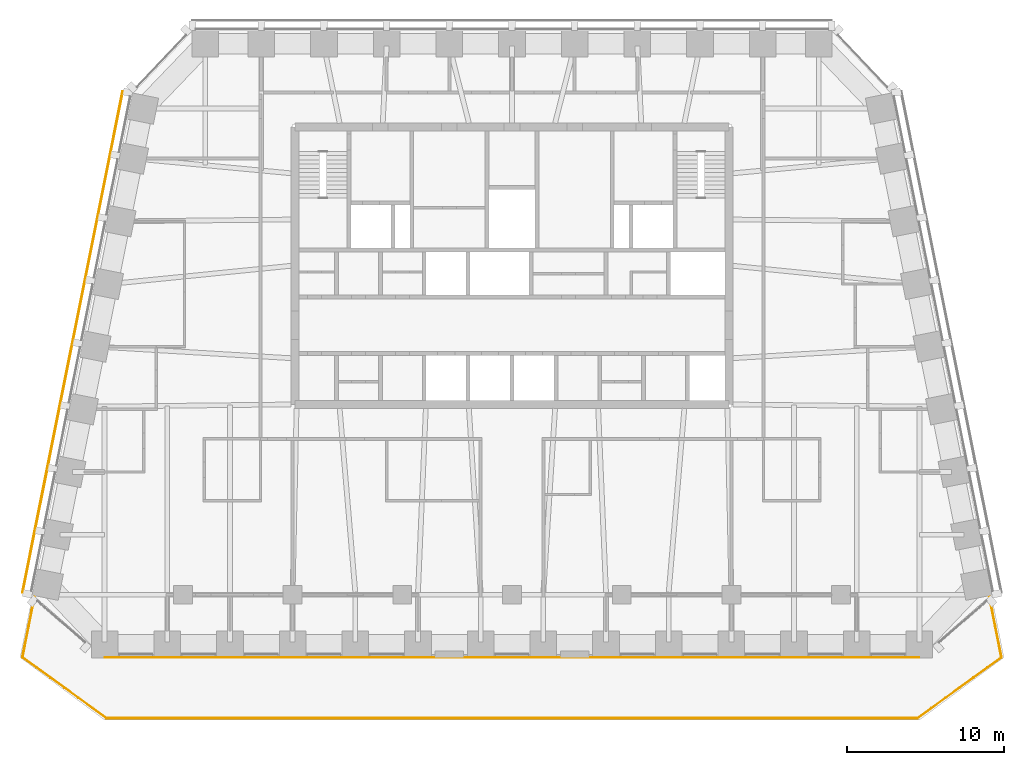
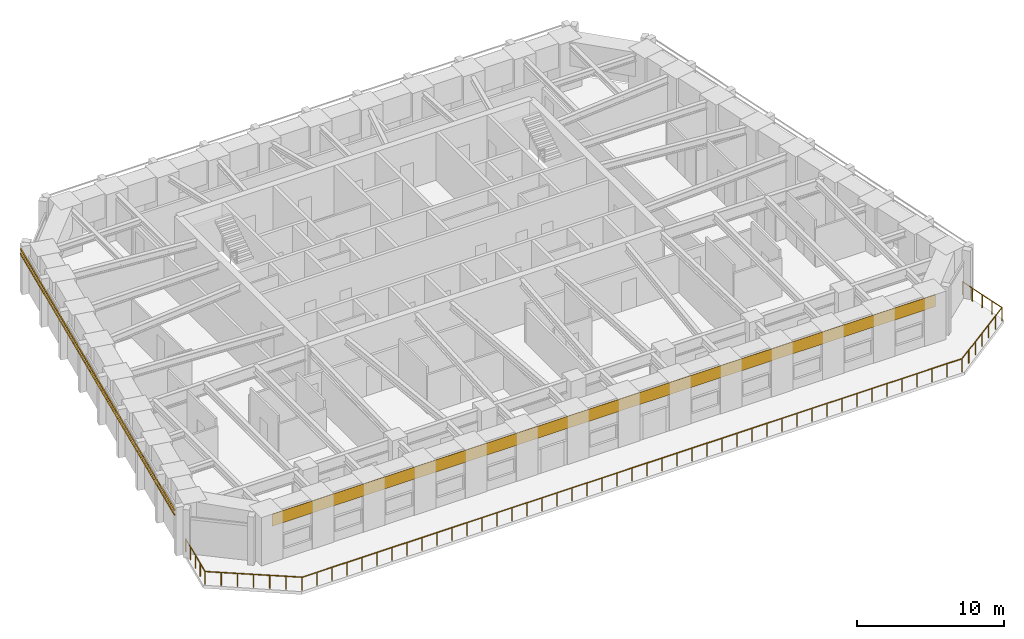
# One storey, part 9 of 11: 2 shading devices, 1 covering, 1 railing.
"""IFC4 building model written with IfcOpenShell, lengths in metres."""

from ifc_helpers import new_model, si_unit, direction, frame, origin, origin_2d, place, context, subcontext, project, spatial, rectangle, circle, extrude, material, layer, layer_set, material_profile, profile_set, type_object, element, save


model = new_model("IFC4")

# Units and contexts
model_context = context("Model", 3, precision=1e-05, world=origin(), true_north=direction((0.0, 1.0)))
body_context = subcontext(model_context, "Body", "Model", "MODEL_VIEW")
ifc_project = project(units=[si_unit("LENGTHUNIT", "METRE"), si_unit("AREAUNIT", "SQUARE_METRE"), si_unit("VOLUMEUNIT", "CUBIC_METRE"), si_unit("PLANEANGLEUNIT", "RADIAN"), si_unit("MASSUNIT", "GRAM", prefix="KILO")], contexts=[model_context])

# Site, building, storey
site_placement = place(None, origin())
site = spatial("IfcSite", under=ifc_project, at=site_placement, CompositionType="ELEMENT")
building_placement = place(site_placement, origin())
building = spatial("IfcBuilding", under=site, at=building_placement, Name="Isbrekke Arena Tower", CompositionType="ELEMENT")
storey_placement = place(building_placement, frame((0.0, 0.0, 272.0)))
storey = spatial("IfcBuildingStorey", under=building, at=storey_placement, Name="L63", CompositionType="ELEMENT", Elevation=272.0)

# Shading devices
ifc_material_1 = material(Name="Terracotta", Category="masonry")
ifc_material_profile = material_profile(ifc_material_1, rectangle(XDim=0.06005859375, YDim=0.06005859375, at=origin_2d()), Name="BAGUETTE 60X60")
ifc_profile_set = profile_set([ifc_material_profile], Name="Terracotta")
shading_device_type = type_object("IfcShadingDeviceType", Name="BG1 TERRACOTTA BAGUETTE 60 x 60", PredefinedType="USERDEFINED", material=ifc_profile_set)
for number, where, z_axis, x_axis, name in (
    (1, (-24.84228515625, 26.12841796875, 3.280029296875), (-0.196113257737, -0.980581251167, 0.0), (0.980581251167, -0.196113257737, 0.0), "BG1 terracotta baguette W1 L63"),
    (2, (-24.84228515625, 26.12841796875, 3.679931640625), (-0.196113257737, -0.980581251167, 0.0), (0.980581251167, -0.196113257737, 0.0), "BG1 terracotta baguette W2 L63"),
):
    element("IfcShadingDevice", number, at=place(storey_placement, frame(where, z_axis=z_axis, x_axis=x_axis)), inside=storey, type_object=shading_device_type, Name=name, ObjectType="TERRACOTTA BAGUETTE", PredefinedType="USERDEFINED", context=body_context, shape_type="SweptSolid", body=[
        extrude(rectangle(XDim=0.06005859375, YDim=0.06005859375, at=origin_2d()), origin(), (0.0, 0.0, 1.0), 32.6337890625),
    ])

# Covering
ifc_material_2 = material(Name="Pre-patinated copper sheet", Category="metal")
ifc_layer = layer(ifc_material_2, 0.02001953125)
ifc_layer_set = layer_set([ifc_layer], Name="CL1 COPPER CLADDING")
covering_type = type_object("IfcCoveringType", Name="CL1 COPPER CLADDING", PredefinedType="CLADDING", material=ifc_layer_set)
covering_placement = place(storey_placement, frame((0.0, -10.010009765625, 3.0), z_axis=(0.0, 0.0, 1.0), x_axis=(1.0, 0.0, 0.0)))
element("IfcCovering", 3, at=covering_placement, inside=storey, type_object=covering_type, Name="CL1 copper cladding L63", PredefinedType="CLADDING", context=body_context, shape_type="SweptSolid", body=[
    extrude(rectangle(XDim=52.0, YDim=0.02001953125, at=origin_2d()), origin(), (0.0, 0.0, 1.0), 1.0),
])

# Railing
ifc_material_3 = material(Name="Galvanised steel guard", Category="steel")
railing_type = type_object("IfcRailingType", Name="GR2 TERRACE GUARD 1100", PredefinedType="GUARDRAIL", material=ifc_material_3)
railing_placement = place(storey_placement, frame((-30.447021484375, -6.0, 0.0)))
element("IfcRailing", 4, at=railing_placement, inside=storey, type_object=railing_type, Name="GR2 terrace guard L63", PredefinedType="GUARDRAIL", context=body_context, shape_type="SweptSolid", body=[
    extrude(circle(Radius=0.02392578125, at=origin_2d()), frame((0.0, 0.0, 1.076171875), z_axis=(-0.195149043574, -0.980773598132, 0.0), x_axis=(0.980773598132, -0.195149043574, 0.0)), (0.0, 0.0, 1.0), 4.078369140625),
    extrude(circle(Radius=0.02392578125, at=origin_2d()), frame((-0.7958984375, -4.0, 1.076171875), z_axis=(0.810713226405, -0.585443476804, 0.0), x_axis=(0.585443476804, 0.810713226405, 0.0)), (0.0, 0.0, 1.0), 6.627197265625),
    extrude(circle(Radius=0.02392578125, at=origin_2d()), frame((4.576904296875, -7.8798828125, 1.076171875), z_axis=(1.0, 0.0, 0.0), x_axis=(0.0, 1.0, 0.0)), (0.0, 0.0, 1.0), 51.740234375),
    extrude(circle(Radius=0.02392578125, at=origin_2d()), frame((56.317138671875, -7.8798828125, 1.076171875), z_axis=(0.810713226405, 0.585443476804, 0.0), x_axis=(-0.585443476804, 0.810713226405, 0.0)), (0.0, 0.0, 1.0), 6.627197265625),
    extrude(circle(Radius=0.02392578125, at=origin_2d()), frame((61.68994140625, -4.0, 1.076171875), z_axis=(-0.195149043574, 0.980773598132, 0.0), x_axis=(-0.980773598132, -0.195149043574, 0.0)), (0.0, 0.0, 1.0), 4.078369140625),
    extrude(circle(Radius=0.02099609375, at=origin_2d()), origin(), (0.0, 0.0, 1.0), 1.052001953125),
    extrude(circle(Radius=0.02099609375, at=origin_2d()), frame((-0.198974609375, -1.0, 0.0)), (0.0, 0.0, 1.0), 1.052001953125),
    extrude(circle(Radius=0.02099609375, at=origin_2d()), frame((-0.39794921875, -2.0, 0.0)), (0.0, 0.0, 1.0), 1.052001953125),
    extrude(circle(Radius=0.02099609375, at=origin_2d()), frame((-0.596923828125, -3.0, 0.0)), (0.0, 0.0, 1.0), 1.052001953125),
    extrude(circle(Radius=0.02099609375, at=origin_2d()), frame((-0.7958984375, -4.0, 0.0)), (0.0, 0.0, 1.0), 1.052001953125),
    extrude(circle(Radius=0.02099609375, at=origin_2d()), frame((0.099609375, -4.646728515625, 0.0)), (0.0, 0.0, 1.0), 1.052001953125),
    extrude(circle(Radius=0.02099609375, at=origin_2d()), frame((0.9951171875, -5.293212890625, 0.0)), (0.0, 0.0, 1.0), 1.052001953125),
    extrude(circle(Radius=0.02099609375, at=origin_2d()), frame((1.890625, -5.93994140625, 0.0)), (0.0, 0.0, 1.0), 1.052001953125),
    extrude(circle(Radius=0.02099609375, at=origin_2d()), frame((2.785888671875, -6.586669921875, 0.0)), (0.0, 0.0, 1.0), 1.052001953125),
    extrude(circle(Radius=0.02099609375, at=origin_2d()), frame((3.681396484375, -7.233154296875, 0.0)), (0.0, 0.0, 1.0), 1.052001953125),
    extrude(circle(Radius=0.02099609375, at=origin_2d()), frame((4.576904296875, -7.8798828125, 0.0)), (0.0, 0.0, 1.0), 1.052001953125),
    extrude(circle(Radius=0.02099609375, at=origin_2d()), frame((5.7529296875, -7.8798828125, 0.0)), (0.0, 0.0, 1.0), 1.052001953125),
    extrude(circle(Radius=0.02099609375, at=origin_2d()), frame((6.9287109375, -7.8798828125, 0.0)), (0.0, 0.0, 1.0), 1.052001953125),
    extrude(circle(Radius=0.02099609375, at=origin_2d()), frame((8.104736328125, -7.8798828125, 0.0)), (0.0, 0.0, 1.0), 1.052001953125),
    extrude(circle(Radius=0.02099609375, at=origin_2d()), frame((9.280517578125, -7.8798828125, 0.0)), (0.0, 0.0, 1.0), 1.052001953125),
    extrude(circle(Radius=0.02099609375, at=origin_2d()), frame((10.45654296875, -7.8798828125, 0.0)), (0.0, 0.0, 1.0), 1.052001953125),
    extrude(circle(Radius=0.02099609375, at=origin_2d()), frame((11.63232421875, -7.8798828125, 0.0)), (0.0, 0.0, 1.0), 1.052001953125),
    extrude(circle(Radius=0.02099609375, at=origin_2d()), frame((12.808349609375, -7.8798828125, 0.0)), (0.0, 0.0, 1.0), 1.052001953125),
    extrude(circle(Radius=0.02099609375, at=origin_2d()), frame((13.984130859375, -7.8798828125, 0.0)), (0.0, 0.0, 1.0), 1.052001953125),
    extrude(circle(Radius=0.02099609375, at=origin_2d()), frame((15.16015625, -7.8798828125, 0.0)), (0.0, 0.0, 1.0), 1.052001953125),
    extrude(circle(Radius=0.02099609375, at=origin_2d()), frame((16.3359375, -7.8798828125, 0.0)), (0.0, 0.0, 1.0), 1.052001953125),
    extrude(circle(Radius=0.02099609375, at=origin_2d()), frame((17.511962890625, -7.8798828125, 0.0)), (0.0, 0.0, 1.0), 1.052001953125),
    extrude(circle(Radius=0.02099609375, at=origin_2d()), frame((18.68798828125, -7.8798828125, 0.0)), (0.0, 0.0, 1.0), 1.052001953125),
    extrude(circle(Radius=0.02099609375, at=origin_2d()), frame((19.86376953125, -7.8798828125, 0.0)), (0.0, 0.0, 1.0), 1.052001953125),
    extrude(circle(Radius=0.02099609375, at=origin_2d()), frame((21.039794921875, -7.8798828125, 0.0)), (0.0, 0.0, 1.0), 1.052001953125),
    extrude(circle(Radius=0.02099609375, at=origin_2d()), frame((22.215576171875, -7.8798828125, 0.0)), (0.0, 0.0, 1.0), 1.052001953125),
    extrude(circle(Radius=0.02099609375, at=origin_2d()), frame((23.3916015625, -7.8798828125, 0.0)), (0.0, 0.0, 1.0), 1.052001953125),
    extrude(circle(Radius=0.02099609375, at=origin_2d()), frame((24.5673828125, -7.8798828125, 0.0)), (0.0, 0.0, 1.0), 1.052001953125),
    extrude(circle(Radius=0.02099609375, at=origin_2d()), frame((25.743408203125, -7.8798828125, 0.0)), (0.0, 0.0, 1.0), 1.052001953125),
    extrude(circle(Radius=0.02099609375, at=origin_2d()), frame((26.919189453125, -7.8798828125, 0.0)), (0.0, 0.0, 1.0), 1.052001953125),
    extrude(circle(Radius=0.02099609375, at=origin_2d()), frame((28.09521484375, -7.8798828125, 0.0)), (0.0, 0.0, 1.0), 1.052001953125),
    extrude(circle(Radius=0.02099609375, at=origin_2d()), frame((29.27099609375, -7.8798828125, 0.0)), (0.0, 0.0, 1.0), 1.052001953125),
    extrude(circle(Radius=0.02099609375, at=origin_2d()), frame((30.447021484375, -7.8798828125, 0.0)), (0.0, 0.0, 1.0), 1.052001953125),
    extrude(circle(Radius=0.02099609375, at=origin_2d()), frame((31.623046875, -7.8798828125, 0.0)), (0.0, 0.0, 1.0), 1.052001953125),
    extrude(circle(Radius=0.02099609375, at=origin_2d()), frame((32.798828125, -7.8798828125, 0.0)), (0.0, 0.0, 1.0), 1.052001953125),
    extrude(circle(Radius=0.02099609375, at=origin_2d()), frame((33.974853515625, -7.8798828125, 0.0)), (0.0, 0.0, 1.0), 1.052001953125),
    extrude(circle(Radius=0.02099609375, at=origin_2d()), frame((35.150634765625, -7.8798828125, 0.0)), (0.0, 0.0, 1.0), 1.052001953125),
    extrude(circle(Radius=0.02099609375, at=origin_2d()), frame((36.32666015625, -7.8798828125, 0.0)), (0.0, 0.0, 1.0), 1.052001953125),
    extrude(circle(Radius=0.02099609375, at=origin_2d()), frame((37.50244140625, -7.8798828125, 0.0)), (0.0, 0.0, 1.0), 1.052001953125),
    extrude(circle(Radius=0.02099609375, at=origin_2d()), frame((38.678466796875, -7.8798828125, 0.0)), (0.0, 0.0, 1.0), 1.052001953125),
    extrude(circle(Radius=0.02099609375, at=origin_2d()), frame((39.854248046875, -7.8798828125, 0.0)), (0.0, 0.0, 1.0), 1.052001953125),
    extrude(circle(Radius=0.02099609375, at=origin_2d()), frame((41.0302734375, -7.8798828125, 0.0)), (0.0, 0.0, 1.0), 1.052001953125),
    extrude(circle(Radius=0.02099609375, at=origin_2d()), frame((42.2060546875, -7.8798828125, 0.0)), (0.0, 0.0, 1.0), 1.052001953125),
    extrude(circle(Radius=0.02099609375, at=origin_2d()), frame((43.382080078125, -7.8798828125, 0.0)), (0.0, 0.0, 1.0), 1.052001953125),
    extrude(circle(Radius=0.02099609375, at=origin_2d()), frame((44.55810546875, -7.8798828125, 0.0)), (0.0, 0.0, 1.0), 1.052001953125),
    extrude(circle(Radius=0.02099609375, at=origin_2d()), frame((45.73388671875, -7.8798828125, 0.0)), (0.0, 0.0, 1.0), 1.052001953125),
    extrude(circle(Radius=0.02099609375, at=origin_2d()), frame((46.909912109375, -7.8798828125, 0.0)), (0.0, 0.0, 1.0), 1.052001953125),
    extrude(circle(Radius=0.02099609375, at=origin_2d()), frame((48.085693359375, -7.8798828125, 0.0)), (0.0, 0.0, 1.0), 1.052001953125),
    extrude(circle(Radius=0.02099609375, at=origin_2d()), frame((49.26171875, -7.8798828125, 0.0)), (0.0, 0.0, 1.0), 1.052001953125),
    extrude(circle(Radius=0.02099609375, at=origin_2d()), frame((50.4375, -7.8798828125, 0.0)), (0.0, 0.0, 1.0), 1.052001953125),
    extrude(circle(Radius=0.02099609375, at=origin_2d()), frame((51.613525390625, -7.8798828125, 0.0)), (0.0, 0.0, 1.0), 1.052001953125),
    extrude(circle(Radius=0.02099609375, at=origin_2d()), frame((52.789306640625, -7.8798828125, 0.0)), (0.0, 0.0, 1.0), 1.052001953125),
    extrude(circle(Radius=0.02099609375, at=origin_2d()), frame((53.96533203125, -7.8798828125, 0.0)), (0.0, 0.0, 1.0), 1.052001953125),
    extrude(circle(Radius=0.02099609375, at=origin_2d()), frame((55.14111328125, -7.8798828125, 0.0)), (0.0, 0.0, 1.0), 1.052001953125),
    extrude(circle(Radius=0.02099609375, at=origin_2d()), frame((56.317138671875, -7.8798828125, 0.0)), (0.0, 0.0, 1.0), 1.052001953125),
    extrude(circle(Radius=0.02099609375, at=origin_2d()), frame((57.212646484375, -7.233154296875, 0.0)), (0.0, 0.0, 1.0), 1.052001953125),
    extrude(circle(Radius=0.02099609375, at=origin_2d()), frame((58.108154296875, -6.586669921875, 0.0)), (0.0, 0.0, 1.0), 1.052001953125),
    extrude(circle(Radius=0.02099609375, at=origin_2d()), frame((59.00341796875, -5.93994140625, 0.0)), (0.0, 0.0, 1.0), 1.052001953125),
    extrude(circle(Radius=0.02099609375, at=origin_2d()), frame((59.89892578125, -5.293212890625, 0.0)), (0.0, 0.0, 1.0), 1.052001953125),
    extrude(circle(Radius=0.02099609375, at=origin_2d()), frame((60.79443359375, -4.646728515625, 0.0)), (0.0, 0.0, 1.0), 1.052001953125),
    extrude(circle(Radius=0.02099609375, at=origin_2d()), frame((61.68994140625, -4.0, 0.0)), (0.0, 0.0, 1.0), 1.052001953125),
    extrude(circle(Radius=0.02099609375, at=origin_2d()), frame((61.490966796875, -3.0, 0.0)), (0.0, 0.0, 1.0), 1.052001953125),
    extrude(circle(Radius=0.02099609375, at=origin_2d()), frame((61.2919921875, -2.0, 0.0)), (0.0, 0.0, 1.0), 1.052001953125),
    extrude(circle(Radius=0.02099609375, at=origin_2d()), frame((61.093017578125, -1.0, 0.0)), (0.0, 0.0, 1.0), 1.052001953125),
    extrude(circle(Radius=0.02099609375, at=origin_2d()), frame((60.89404296875, 0.0, 0.0)), (0.0, 0.0, 1.0), 1.052001953125),
])

save(model, "model.ifc")
